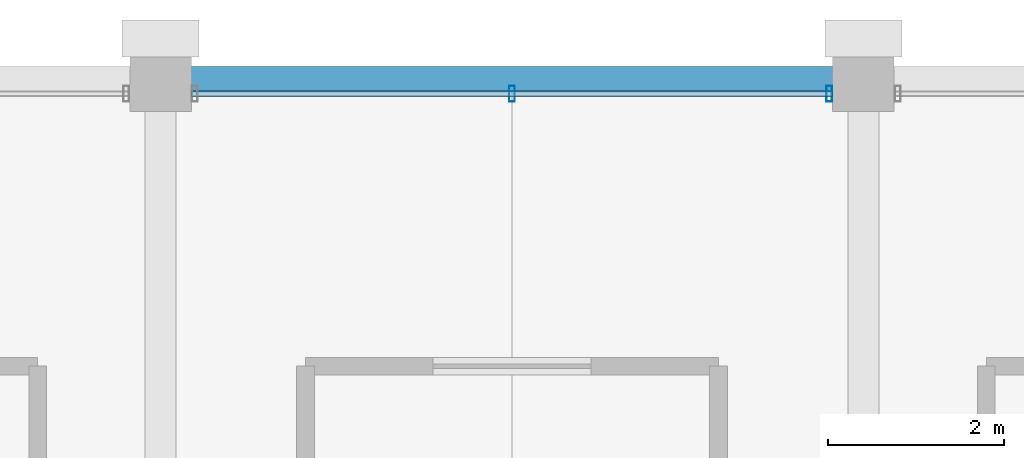
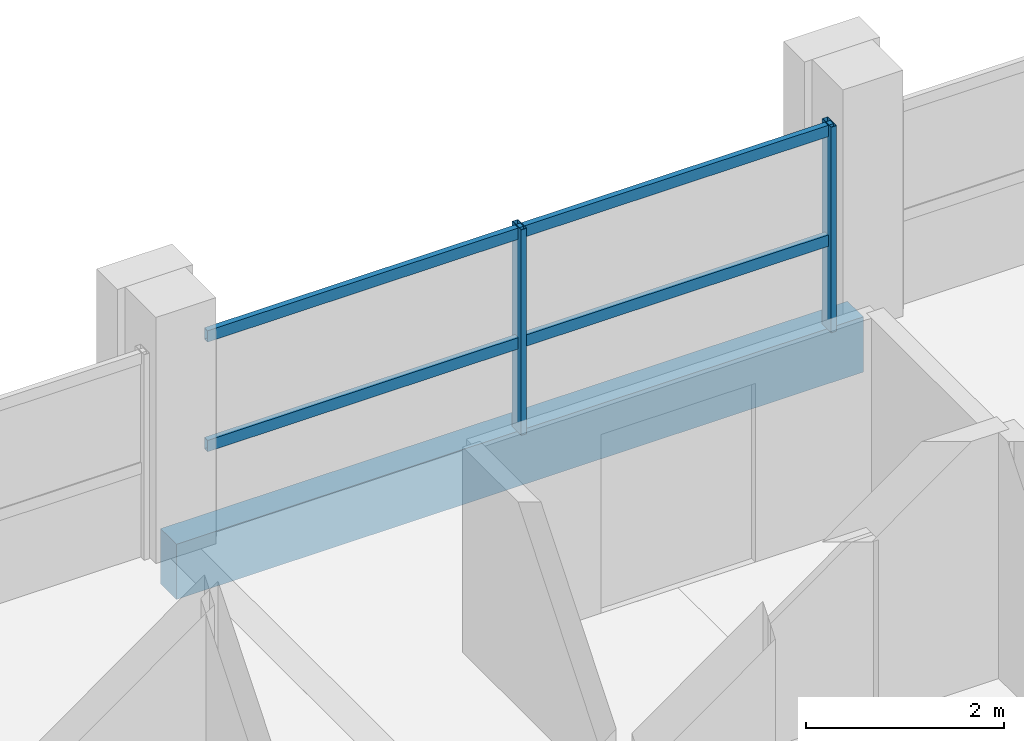
# One storey, part 16 of 25: 4 members, 1 beam, 1 element without a shape of its own.
"""IFC4 building model written with IfcOpenShell, lengths in metres."""

from ifc_helpers import new_model, si_unit, direction, frame, origin, origin_2d, place, context, subcontext, project, spatial, rectangle, hollow_rectangle, extrude, material, material_profile, profile_set, type_object, element, aggregate, save


model = new_model("IFC4")

# Units and contexts
model_context = context("Model", 3, precision=1e-05, world=origin(), true_north=direction((0.0, 1.0)))
body_context = subcontext(model_context, "Body", "Model", "MODEL_VIEW")
ifc_project = project(units=[si_unit("LENGTHUNIT", "METRE"), si_unit("AREAUNIT", "SQUARE_METRE"), si_unit("VOLUMEUNIT", "CUBIC_METRE"), si_unit("PLANEANGLEUNIT", "RADIAN"), si_unit("MASSUNIT", "GRAM", prefix="KILO")], contexts=[model_context])

# Site, building, storey
site_placement = place(None, origin())
site = spatial("IfcSite", under=ifc_project, at=site_placement, CompositionType="ELEMENT")
building_placement = place(site_placement, origin())
building = spatial("IfcBuilding", under=site, at=building_placement, Name="Akrevak Sports Hall", CompositionType="ELEMENT")
storey_placement = place(building_placement, frame((0.0, 0.0, 50.300048828125)))
storey = spatial("IfcBuildingStorey", under=building, at=storey_placement, Name="L12", CompositionType="ELEMENT", Elevation=50.300048828125)

# Curtain wall, members
ifc_material_1 = material(Name="Anodized Bronze Aluminium & Low-E Glass", Category="aluminium")
curtain_wall_type = type_object("IfcCurtainWallType", Name="ARC-CW-TWR-72x30", PredefinedType="NOTDEFINED", material=ifc_material_1)
curtain_wall_placement = place(storey_placement, origin())
curtain_wall = element("IfcCurtainWall", 1, at=curtain_wall_placement, inside=storey, type_object=curtain_wall_type, Name="Curtain Wall CW-L12-N22", PredefinedType="NOTDEFINED")
ifc_material_2 = material(Name="Anodized Bronze Aluminium", Category="aluminium")
ifc_material_profile_1 = material_profile(ifc_material_2, hollow_rectangle(XDim=0.06494140625, YDim=0.179931640625, WallThickness=0.00390625, at=origin_2d()), Name="CWM 65x180", Category="aluminium")
ifc_profile_set_1 = profile_set([ifc_material_profile_1], Name="Anodized Bronze Aluminium")
member_type_1 = type_object("IfcMemberType", Name="ARC-CWM-65x140", PredefinedType="MULLION", material=ifc_profile_set_1)
member_1_placement = place(storey_placement, frame((83.610107421875, 69.449951171875, 0.0), z_axis=(0.0, 0.0, 1.0), x_axis=(-1.0, 0.0, 0.0)))
member_1 = element("IfcMember", 2, at=member_1_placement, type_object=member_type_1, Name="Curtain Wall Mullion CW-L12-N22-M1", PredefinedType="MULLION", context=body_context, shape_type="SweptSolid", body=[
    extrude(hollow_rectangle(XDim=0.06494140625, YDim=0.179931640625, WallThickness=0.00390625, at=origin_2d()), origin(), (0.0, 0.0, 1.0), 2.530029296875),
])
member_2_placement = place(storey_placement, frame((80.0, 69.449951171875, 0.0), z_axis=(0.0, 0.0, 1.0), x_axis=(-1.0, 0.0, 0.0)))
member_2 = element("IfcMember", 3, at=member_2_placement, type_object=member_type_1, Name="Curtain Wall Mullion CW-L12-N22-M2", PredefinedType="MULLION", context=body_context, shape_type="SweptSolid", body=[
    extrude(hollow_rectangle(XDim=0.06494140625, YDim=0.179931640625, WallThickness=0.00390625, at=origin_2d()), origin(), (0.0, 0.0, 1.0), 2.530029296875),
])
ifc_material_profile_2 = material_profile(ifc_material_2, hollow_rectangle(XDim=0.06494140625, YDim=0.139892578125, WallThickness=0.00390625, at=origin_2d()), Name="CWT 65x140", Category="aluminium")
ifc_profile_set_2 = profile_set([ifc_material_profile_2], Name="Anodized Bronze Aluminium")
member_type_2 = type_object("IfcMemberType", Name="ARC-CWT-65x110", PredefinedType="USERDEFINED", material=ifc_profile_set_2)
member_3_placement = place(storey_placement, frame((83.64990234375, 69.449951171875, 1.099853515625), z_axis=(-1.0, 0.0, 0.0), x_axis=(0.0, -1.0, 0.0)))
member_3 = element("IfcMember", 4, at=member_3_placement, type_object=member_type_2, Name="Curtain Wall Transom CW-L12-N22-T1", ObjectType="TRANSOM", PredefinedType="USERDEFINED", context=body_context, shape_type="SweptSolid", body=[
    extrude(hollow_rectangle(XDim=0.06494140625, YDim=0.139892578125, WallThickness=0.00390625, at=origin_2d()), origin(), (0.0, 0.0, 1.0), 7.2998046875),
])
member_4_placement = place(storey_placement, frame((83.64990234375, 69.449951171875, 2.449951171875), z_axis=(-1.0, 0.0, 0.0), x_axis=(0.0, -1.0, 0.0)))
member_4 = element("IfcMember", 5, at=member_4_placement, type_object=member_type_2, Name="Curtain Wall Transom CW-L12-N22-T2", ObjectType="TRANSOM", PredefinedType="USERDEFINED", context=body_context, shape_type="SweptSolid", body=[
    extrude(hollow_rectangle(XDim=0.06494140625, YDim=0.139892578125, WallThickness=0.00390625, at=origin_2d()), origin(), (0.0, 0.0, 1.0), 7.2998046875),
])
aggregate(curtain_wall, [member_1, member_2, member_3, member_4])

# Beam
ifc_material_3 = material(Name="Concrete C40/50", Category="concrete")
ifc_material_profile_3 = material_profile(ifc_material_3, rectangle(XDim=0.320068359375, YDim=0.679931640625, at=origin_2d()), Name="SPD 320x680", Category="concrete")
ifc_profile_set_3 = profile_set([ifc_material_profile_3], Name="Concrete C40/50")
beam_type = type_object("IfcBeamType", Name="STR-SPD-RC320x680", PredefinedType="SPANDREL", material=ifc_profile_set_3)
beam_placement = place(storey_placement, frame((76.0, 69.60009765625, -0.340087890625), z_axis=(1.0, 0.0, 0.0), x_axis=(0.0, 1.0, 0.0)))
element("IfcBeam", 6, at=beam_placement, inside=storey, type_object=beam_type, Name="Girder K/11-12 (L12)", PredefinedType="SPANDREL", context=body_context, shape_type="SweptSolid", body=[
    extrude(rectangle(XDim=0.320068359375, YDim=0.679931640625, at=origin_2d()), origin(), (0.0, 0.0, 1.0), 8.0),
])

save(model, "model.ifc")
